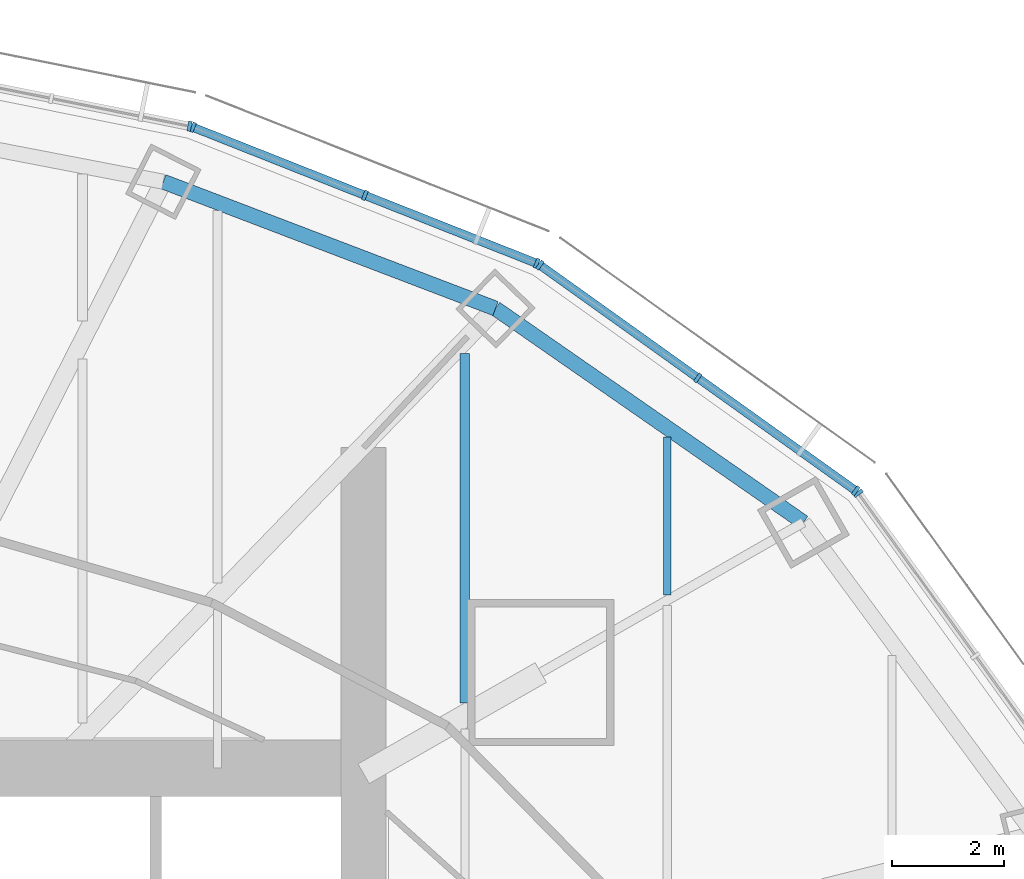
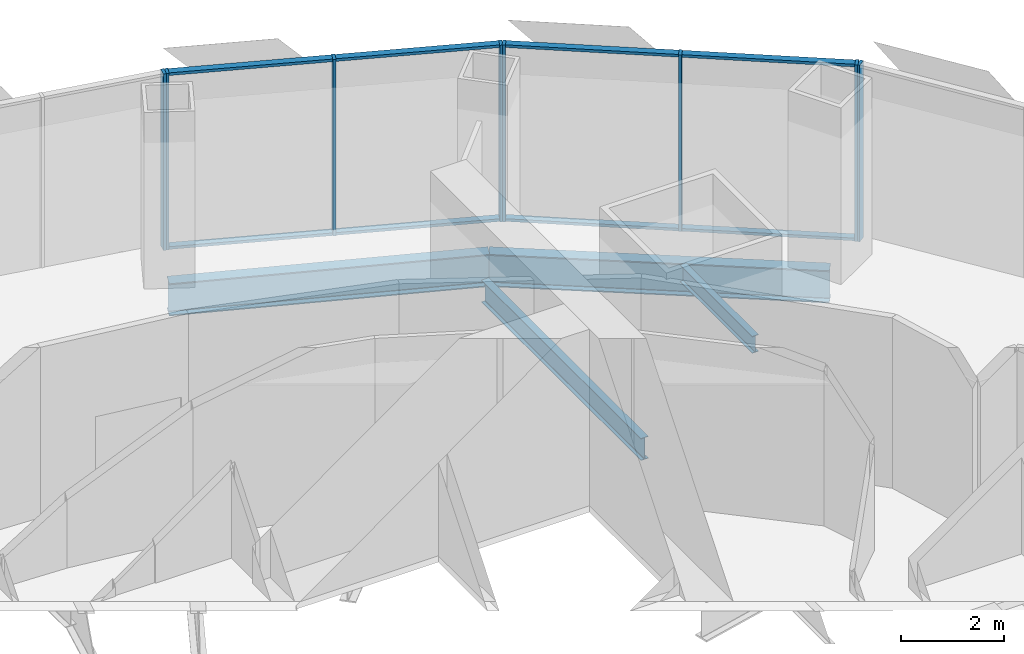
# One storey, part 9 of 17: 16 members, 4 beams, 4 elements without a shape of their own.
"""IFC4 building model written with IfcOpenShell, lengths in metres."""

from ifc_helpers import new_model, si_unit, direction, frame, origin, origin_2d, place, context, subcontext, project, spatial, rectangle, i_section, extrude, material, material_profile, profile_set, type_object, element, aggregate, save


model = new_model("IFC4")

# Units and contexts
model_context = context("Model", 3, precision=1e-05, world=origin(), true_north=direction((0.0, 1.0)))
body_context = subcontext(model_context, "Body", "Model", "MODEL_VIEW")
ifc_project = project(units=[si_unit("LENGTHUNIT", "METRE"), si_unit("AREAUNIT", "SQUARE_METRE"), si_unit("VOLUMEUNIT", "CUBIC_METRE"), si_unit("PLANEANGLEUNIT", "RADIAN"), si_unit("MASSUNIT", "GRAM", prefix="KILO")], contexts=[model_context])

# Site, building, storey
site_placement = place(None, origin())
site = spatial("IfcSite", under=ifc_project, at=site_placement, CompositionType="ELEMENT")
building_placement = place(site_placement, origin())
building = spatial("IfcBuilding", under=site, at=building_placement, Name="Lantaw Convention Tower", CompositionType="ELEMENT")
storey_placement = place(building_placement, frame((0.0, 0.0, 224.199951171875)))
storey = spatial("IfcBuildingStorey", under=building, at=storey_placement, Name="L52", CompositionType="ELEMENT", Elevation=224.199951171875)

# Beams
ifc_material_1 = material(Name="Steel ASTM A992", Category="steel")
ifc_material_profile_1 = material_profile(ifc_material_1, i_section(OverallWidth=0.2666015625, OverallDepth=0.76953125, WebThickness=0.015625, FlangeThickness=0.025390625, FilletRadius=0.0126953125, at=origin_2d()), Name="W30X132")
ifc_profile_set_1 = profile_set([ifc_material_profile_1], Name="Steel ASTM A992")
beam_type_1 = type_object("IfcBeamType", Name="Beam E W30X132", PredefinedType="SPANDREL", material=ifc_profile_set_1)
beam_1_placement = place(storey_placement, frame((20.423095703125, 11.67041015625, -0.53466796875), z_axis=(-0.82135329406, 0.570419815869, 0.0), x_axis=(-0.570419815869, -0.82135329406, 0.0)))
element("IfcBeam", 1, at=beam_1_placement, inside=storey, type_object=beam_type_1, Name="Edge beam 3", PredefinedType="SPANDREL", context=body_context, shape_type="SweptSolid", body=[
    extrude(i_section(OverallWidth=0.2666015625, OverallDepth=0.76953125, WebThickness=0.015625, FlangeThickness=0.025390625, FilletRadius=0.0126953125, at=origin_2d()), origin(), (0.0, 0.0, 1.0), 6.67041015625),
])
beam_2_placement = place(storey_placement, frame((14.9443359375, 15.475341796875, -0.53466796875), z_axis=(-0.934234988, 0.356658081637, 0.0), x_axis=(-0.356658081637, -0.934234988, 0.0)))
element("IfcBeam", 2, at=beam_2_placement, inside=storey, type_object=beam_type_1, Name="Edge beam 4", PredefinedType="SPANDREL", context=body_context, shape_type="SweptSolid", body=[
    extrude(i_section(OverallWidth=0.2666015625, OverallDepth=0.76953125, WebThickness=0.015625, FlangeThickness=0.025390625, FilletRadius=0.0126953125, at=origin_2d()), origin(), (0.0, 0.0, 1.0), 6.32568359375),
])
ifc_material_profile_2 = material_profile(ifc_material_1, i_section(OverallWidth=0.140380859375, OverallDepth=0.40380859375, WebThickness=0.007080078125, FlangeThickness=0.01123046875, FilletRadius=0.01025390625, at=origin_2d()), Name="W16X31")
ifc_profile_set_2 = profile_set([ifc_material_profile_2], Name="Steel ASTM A992")
beam_type_2 = type_object("IfcBeamType", Name="Beam J W16X31", PredefinedType="JOIST", material=ifc_profile_set_2)
beam_3_placement = place(storey_placement, frame((18.0, 10.380859375, -0.351806640625), z_axis=(0.0, 1.0, 0.0), x_axis=(-1.0, 0.0, 0.0)))
element("IfcBeam", 3, at=beam_3_placement, inside=storey, type_object=beam_type_2, Name="Floor joist", PredefinedType="JOIST", context=body_context, shape_type="SweptSolid", body=[
    extrude(i_section(OverallWidth=0.140380859375, OverallDepth=0.40380859375, WebThickness=0.007080078125, FlangeThickness=0.01123046875, FilletRadius=0.01025390625, at=origin_2d()), origin(), (0.0, 0.0, 1.0), 2.81005859375),
])
ifc_material_profile_3 = material_profile(ifc_material_1, i_section(OverallWidth=0.1650390625, OverallDepth=0.52587890625, WebThickness=0.0087890625, FlangeThickness=0.011474609375, FilletRadius=0.0126953125, at=origin_2d()), Name="W21X44")
ifc_profile_set_3 = profile_set([ifc_material_profile_3], Name="Steel ASTM A992")
beam_type_3 = type_object("IfcBeamType", Name="Beam J W21X44", PredefinedType="JOIST", material=ifc_profile_set_3)
beam_4_placement = place(storey_placement, frame((14.39990234375, 8.461181640625, -0.412841796875), z_axis=(0.0, 1.0, 0.0), x_axis=(-1.0, 0.0, 0.0)))
element("IfcBeam", 4, at=beam_4_placement, inside=storey, type_object=beam_type_3, Name="Floor joist", PredefinedType="JOIST", context=body_context, shape_type="SweptSolid", body=[
    extrude(i_section(OverallWidth=0.1650390625, OverallDepth=0.52587890625, WebThickness=0.0087890625, FlangeThickness=0.011474609375, FilletRadius=0.0126953125, at=origin_2d()), origin(), (0.0, 0.0, 1.0), 6.214599609375),
])

# Curtain wall, member
ifc_material_2 = material(Name="Aluminium framed curtain wall", Category="aluminium")
curtain_wall_type = type_object("IfcCurtainWallType", Name="Office curtain wall high rise, pale aluminium", PredefinedType="USERDEFINED", material=ifc_material_2)
curtain_wall_1_placement = place(storey_placement, origin())
curtain_wall_1 = element("IfcCurtainWall", 5, at=curtain_wall_1_placement, inside=storey, type_object=curtain_wall_type, Name="Office curtain wall high rise, pale aluminium L52", ObjectType="UNITISED CURTAIN WALL", PredefinedType="USERDEFINED")
ifc_material_3 = material(Name="Aluminium 6063-T6", Category="aluminium")
ifc_material_profile_4 = material_profile(ifc_material_3, rectangle(XDim=0.179931640625, YDim=0.06494140625, at=origin_2d()), Name="CW-O2 mullion 65x180")
ifc_profile_set_4 = profile_set([ifc_material_profile_4], Name="Aluminium 6063-T6")
member_type_1 = type_object("IfcMemberType", Name="CW-O2 mullion 65x180", PredefinedType="MULLION", material=ifc_profile_set_4)
member_1_placement = place(storey_placement, frame((21.397216796875, 12.189697265625, -0.14990234375), z_axis=(0.0, 0.0, 1.0), x_axis=(-0.810919559405, -0.585157643865, 0.0)))
member_1 = element("IfcMember", 6, at=member_1_placement, type_object=member_type_1, Name="CW-O2 mullion 3", PredefinedType="MULLION", context=body_context, shape_type="SweptSolid", body=[
    extrude(rectangle(XDim=0.179931640625, YDim=0.06494140625, at=origin_2d()), origin(), (0.0, 0.0, 1.0), 4.199951171875),
])
aggregate(curtain_wall_1, [member_1])

# Curtain wall, members
curtain_wall_2_placement = place(storey_placement, origin())
curtain_wall_2 = element("IfcCurtainWall", 7, at=curtain_wall_2_placement, inside=storey, type_object=curtain_wall_type, Name="Office curtain wall high rise, pale aluminium L52", ObjectType="UNITISED CURTAIN WALL", PredefinedType="USERDEFINED")
member_2_placement = place(storey_placement, frame((21.3515625, 12.23486328125, -0.14990234375), z_axis=(0.0, 0.0, 1.0), x_axis=(-0.581323487281, -0.813672540482, 0.0)))
member_2 = element("IfcMember", 8, at=member_2_placement, type_object=member_type_1, Name="CW-O2 mullion 1", PredefinedType="MULLION", context=body_context, shape_type="SweptSolid", body=[
    extrude(rectangle(XDim=0.179931640625, YDim=0.06494140625, at=origin_2d()), origin(), (0.0, 0.0, 1.0), 4.199951171875),
])
member_3_placement = place(storey_placement, frame((18.543212890625, 14.241455078125, -0.14990234375), z_axis=(0.0, 0.0, 1.0), x_axis=(-0.581323487281, -0.813672540482, 0.0)))
member_3 = element("IfcMember", 9, at=member_3_placement, type_object=member_type_1, Name="CW-O2 mullion 2", PredefinedType="MULLION", context=body_context, shape_type="SweptSolid", body=[
    extrude(rectangle(XDim=0.179931640625, YDim=0.06494140625, at=origin_2d()), origin(), (0.0, 0.0, 1.0), 4.199951171875),
])
member_4_placement = place(storey_placement, frame((15.73486328125, 16.247802734375, -0.14990234375), z_axis=(0.0, 0.0, 1.0), x_axis=(-0.581323487281, -0.813672540482, 0.0)))
member_4 = element("IfcMember", 10, at=member_4_placement, type_object=member_type_1, Name="CW-O2 mullion 3", PredefinedType="MULLION", context=body_context, shape_type="SweptSolid", body=[
    extrude(rectangle(XDim=0.179931640625, YDim=0.06494140625, at=origin_2d()), origin(), (0.0, 0.0, 1.0), 4.199951171875),
])

curtain_wall_3_placement = place(storey_placement, origin())
curtain_wall_3 = element("IfcCurtainWall", 11, at=curtain_wall_3_placement, inside=storey, type_object=curtain_wall_type, Name="Office curtain wall high rise, pale aluminium L52", ObjectType="UNITISED CURTAIN WALL", PredefinedType="USERDEFINED")
member_5_placement = place(storey_placement, frame((15.67822265625, 16.278564453125, -0.14990234375), z_axis=(0.0, 0.0, 1.0), x_axis=(-0.368162315252, -0.929761533743, 0.0)))
member_5 = element("IfcMember", 12, at=member_5_placement, type_object=member_type_1, Name="CW-O2 mullion 1", PredefinedType="MULLION", context=body_context, shape_type="SweptSolid", body=[
    extrude(rectangle(XDim=0.179931640625, YDim=0.06494140625, at=origin_2d()), origin(), (0.0, 0.0, 1.0), 4.199951171875),
])
member_6_placement = place(storey_placement, frame((12.621337890625, 17.4892578125, -0.14990234375), z_axis=(0.0, 0.0, 1.0), x_axis=(-0.368162315252, -0.929761533743, 0.0)))
member_6 = element("IfcMember", 13, at=member_6_placement, type_object=member_type_1, Name="CW-O2 mullion 2", PredefinedType="MULLION", context=body_context, shape_type="SweptSolid", body=[
    extrude(rectangle(XDim=0.179931640625, YDim=0.06494140625, at=origin_2d()), origin(), (0.0, 0.0, 1.0), 4.199951171875),
])
member_7_placement = place(storey_placement, frame((9.564208984375, 18.69970703125, -0.14990234375), z_axis=(0.0, 0.0, 1.0), x_axis=(-0.368162315252, -0.929761533743, 0.0)))
member_7 = element("IfcMember", 14, at=member_7_placement, type_object=member_type_1, Name="CW-O2 mullion 3", PredefinedType="MULLION", context=body_context, shape_type="SweptSolid", body=[
    extrude(rectangle(XDim=0.179931640625, YDim=0.06494140625, at=origin_2d()), origin(), (0.0, 0.0, 1.0), 4.199951171875),
])

# Curtain wall, member
curtain_wall_4_placement = place(storey_placement, origin())
curtain_wall_4 = element("IfcCurtainWall", 15, at=curtain_wall_4_placement, inside=storey, type_object=curtain_wall_type, Name="Office curtain wall high rise, pale aluminium L52", ObjectType="UNITISED CURTAIN WALL", PredefinedType="USERDEFINED")
member_8_placement = place(storey_placement, frame((9.502197265625, 18.718017578125, -0.14990234375), z_axis=(0.0, 0.0, 1.0), x_axis=(-0.197183095987, -0.980366679695, 0.0)))
member_8 = element("IfcMember", 16, at=member_8_placement, type_object=member_type_1, Name="CW-O2 mullion 1", PredefinedType="MULLION", context=body_context, shape_type="SweptSolid", body=[
    extrude(rectangle(XDim=0.179931640625, YDim=0.06494140625, at=origin_2d()), origin(), (0.0, 0.0, 1.0), 4.199951171875),
])
aggregate(curtain_wall_4, [member_8])

# Member
ifc_material_profile_5 = material_profile(ifc_material_3, rectangle(XDim=0.14990234375, YDim=0.06494140625, at=origin_2d()), Name="CW-O2 transom 65x150")
ifc_profile_set_5 = profile_set([ifc_material_profile_5], Name="Aluminium 6063-T6")
member_type_2 = type_object("IfcMemberType", Name="CW-O2 transom 65x150", PredefinedType="USERDEFINED", material=ifc_profile_set_5)
member_9_placement = place(storey_placement, frame((21.3251953125, 12.25390625, -0.117431640625), z_axis=(-0.813679882592, 0.581313210468, 0.0), x_axis=(-0.581313210468, -0.813679882592, 0.0)))
member_9 = element("IfcMember", 17, at=member_9_placement, type_object=member_type_2, Name="CW-O2 transom 1.1", ObjectType="TRANSOM", PredefinedType="USERDEFINED", context=body_context, shape_type="SweptSolid", body=[
    extrude(rectangle(XDim=0.14990234375, YDim=0.06494140625, at=origin_2d()), origin(), (0.0, 0.0, 1.0), 3.38623046875),
])

member_10_placement = place(storey_placement, frame((21.3251953125, 12.25390625, 4.017578125), z_axis=(-0.813679882592, 0.581313210468, 0.0), x_axis=(-0.581313210468, -0.813679882592, 0.0)))
member_10 = element("IfcMember", 18, at=member_10_placement, type_object=member_type_2, Name="CW-O2 transom 1.2", ObjectType="TRANSOM", PredefinedType="USERDEFINED", context=body_context, shape_type="SweptSolid", body=[
    extrude(rectangle(XDim=0.14990234375, YDim=0.06494140625, at=origin_2d()), origin(), (0.0, 0.0, 1.0), 3.38623046875),
])

member_11_placement = place(storey_placement, frame((18.516845703125, 14.26025390625, -0.117431640625), z_axis=(-0.813645780821, 0.581360940683, 0.0), x_axis=(-0.581360940683, -0.813645780821, 0.0)))
member_11 = element("IfcMember", 19, at=member_11_placement, type_object=member_type_2, Name="CW-O2 transom 2.1", ObjectType="TRANSOM", PredefinedType="USERDEFINED", context=body_context, shape_type="SweptSolid", body=[
    extrude(rectangle(XDim=0.14990234375, YDim=0.06494140625, at=origin_2d()), origin(), (0.0, 0.0, 1.0), 3.386474609375),
])

member_12_placement = place(storey_placement, frame((18.516845703125, 14.26025390625, 4.017578125), z_axis=(-0.813645780821, 0.581360940683, 0.0), x_axis=(-0.581360940683, -0.813645780821, 0.0)))
member_12 = element("IfcMember", 20, at=member_12_placement, type_object=member_type_2, Name="CW-O2 transom 2.2", ObjectType="TRANSOM", PredefinedType="USERDEFINED", context=body_context, shape_type="SweptSolid", body=[
    extrude(rectangle(XDim=0.14990234375, YDim=0.06494140625, at=origin_2d()), origin(), (0.0, 0.0, 1.0), 3.386474609375),
])

aggregate(curtain_wall_2, [member_2, member_3, member_4, member_9, member_10, member_11, member_12])

member_13_placement = place(storey_placement, frame((15.648193359375, 16.29052734375, -0.117431640625), z_axis=(-0.929740712354, 0.368214893495, 0.0), x_axis=(-0.368214893495, -0.929740712354, 0.0)))
member_13 = element("IfcMember", 21, at=member_13_placement, type_object=member_type_2, Name="CW-O2 transom 1.1", ObjectType="TRANSOM", PredefinedType="USERDEFINED", context=body_context, shape_type="SweptSolid", body=[
    extrude(rectangle(XDim=0.14990234375, YDim=0.06494140625, at=origin_2d()), origin(), (0.0, 0.0, 1.0), 3.22314453125),
])

member_14_placement = place(storey_placement, frame((15.648193359375, 16.29052734375, 4.017578125), z_axis=(-0.929740712354, 0.368214893495, 0.0), x_axis=(-0.368214893495, -0.929740712354, 0.0)))
member_14 = element("IfcMember", 22, at=member_14_placement, type_object=member_type_2, Name="CW-O2 transom 1.2", ObjectType="TRANSOM", PredefinedType="USERDEFINED", context=body_context, shape_type="SweptSolid", body=[
    extrude(rectangle(XDim=0.14990234375, YDim=0.06494140625, at=origin_2d()), origin(), (0.0, 0.0, 1.0), 3.22314453125),
])

member_15_placement = place(storey_placement, frame((12.591064453125, 17.501220703125, -0.117431640625), z_axis=(-0.929766642946, 0.368149412149, 0.0), x_axis=(-0.368149412149, -0.929766642946, 0.0)))
member_15 = element("IfcMember", 23, at=member_15_placement, type_object=member_type_2, Name="CW-O2 transom 2.1", ObjectType="TRANSOM", PredefinedType="USERDEFINED", context=body_context, shape_type="SweptSolid", body=[
    extrude(rectangle(XDim=0.14990234375, YDim=0.06494140625, at=origin_2d()), origin(), (0.0, 0.0, 1.0), 3.222900390625),
])

member_16_placement = place(storey_placement, frame((12.591064453125, 17.501220703125, 4.017578125), z_axis=(-0.929766642946, 0.368149412149, 0.0), x_axis=(-0.368149412149, -0.929766642946, 0.0)))
member_16 = element("IfcMember", 24, at=member_16_placement, type_object=member_type_2, Name="CW-O2 transom 2.2", ObjectType="TRANSOM", PredefinedType="USERDEFINED", context=body_context, shape_type="SweptSolid", body=[
    extrude(rectangle(XDim=0.14990234375, YDim=0.06494140625, at=origin_2d()), origin(), (0.0, 0.0, 1.0), 3.222900390625),
])

aggregate(curtain_wall_3, [member_5, member_6, member_7, member_13, member_14, member_15, member_16])

save(model, "model.ifc")
